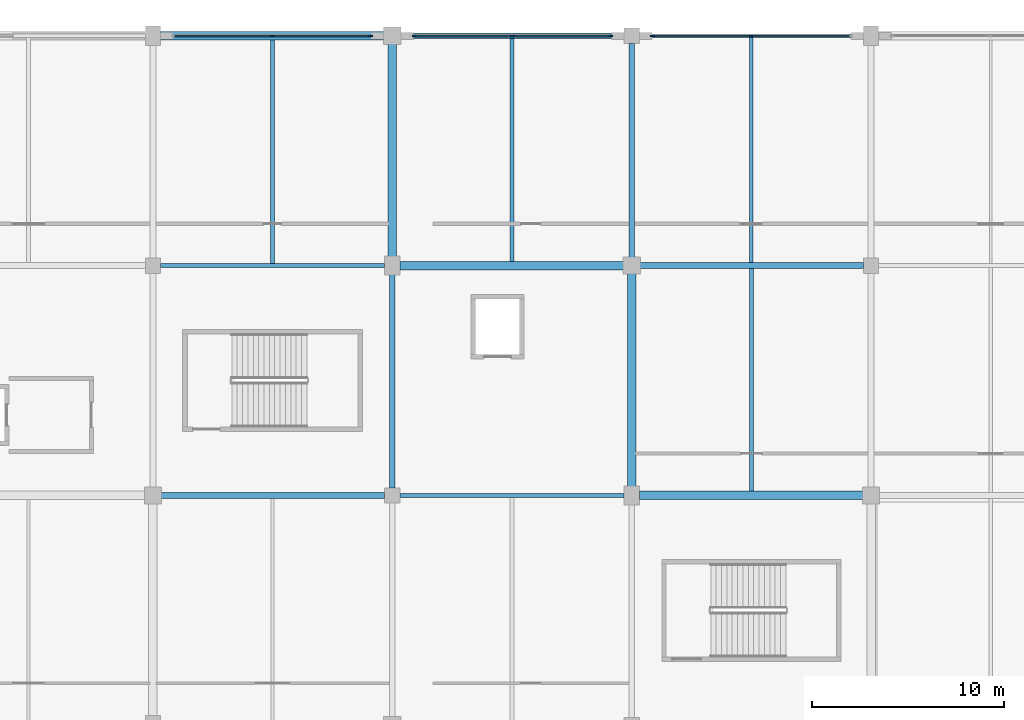
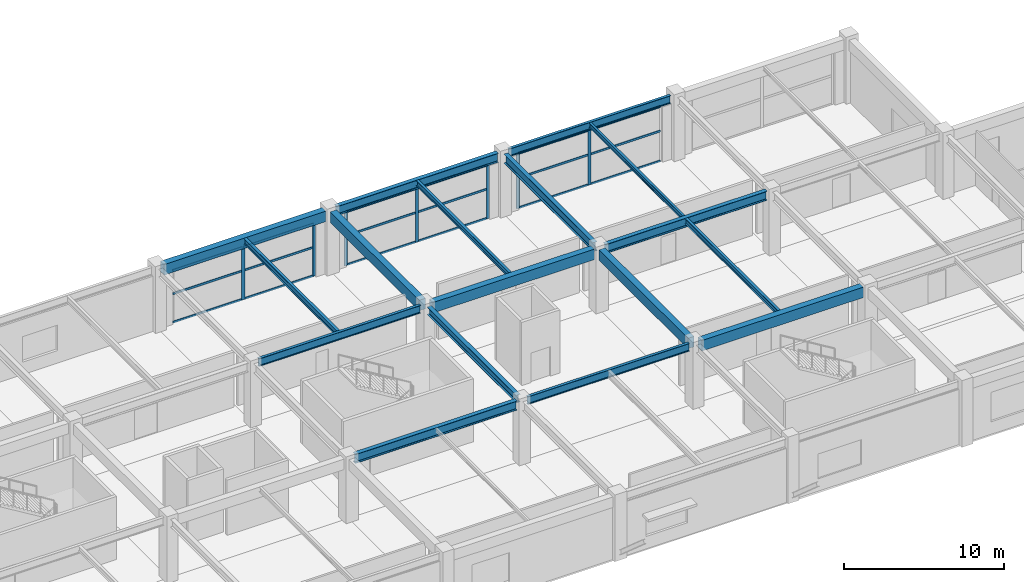
# One storey, part 52 of 116: 25 members, 17 beams, 3 elements without a shape of their own.
"""IFC4 building model written with IfcOpenShell, lengths in metres."""

from ifc_helpers import new_model, si_unit, direction, frame, origin, origin_2d, place, context, subcontext, project, spatial, rectangle, i_section, extrude, material, layer, layer_set, material_profile, profile_set, type_object, element, aggregate, save


model = new_model("IFC4")

# Units and contexts
model_context = context("Model", 3, precision=1e-05, world=origin(), true_north=direction((0.0, 1.0)))
body_context = subcontext(model_context, "Body", "Model", "MODEL_VIEW")
ifc_project = project(units=[si_unit("LENGTHUNIT", "METRE"), si_unit("AREAUNIT", "SQUARE_METRE"), si_unit("VOLUMEUNIT", "CUBIC_METRE"), si_unit("PLANEANGLEUNIT", "RADIAN"), si_unit("MASSUNIT", "GRAM", prefix="KILO")], contexts=[model_context])

# Site, building, storey
site_placement = place(None, origin())
site = spatial("IfcSite", under=ifc_project, at=site_placement, CompositionType="ELEMENT")
building_placement = place(site_placement, origin())
building = spatial("IfcBuilding", under=site, at=building_placement, Name="Kazenohara Klinker Stadium", CompositionType="ELEMENT")
storey_placement = place(building_placement, frame((0.0, 0.0, 10.199951171875)))
storey = spatial("IfcBuildingStorey", under=building, at=storey_placement, Name="L02", CompositionType="ELEMENT", Elevation=10.199951171875)

# Beams
ifc_material_1 = material(Name="Steel S355", Category="steel")
ifc_material_profile_1 = material_profile(ifc_material_1, i_section(OverallWidth=0.199951171875, OverallDepth=0.449951171875, WebThickness=0.009033203125, FlangeThickness=0.013916015625, FilletRadius=0.012939453125, at=origin_2d()), Name="H-450x200x9x14")
ifc_profile_set_1 = profile_set([ifc_material_profile_1], Name="Steel S355")
beam_type_1 = type_object("IfcBeamType", Name="BM-JST02", PredefinedType="JOIST", material=ifc_profile_set_1)
beam_1_placement = place(storey_placement, frame((131.25, 156.10009765625, 4.594970703125), z_axis=(0.0, 1.0, 0.0), x_axis=(-1.0, 0.0, 0.0)))
element("IfcBeam", 1, at=beam_1_placement, inside=storey, type_object=beam_type_1, Name="Secondary floor joist SJ02 L02 11/P", PredefinedType="JOIST", context=body_context, shape_type="SweptSolid", body=[
    extrude(i_section(OverallWidth=0.199951171875, OverallDepth=0.449951171875, WebThickness=0.009033203125, FlangeThickness=0.013916015625, FilletRadius=0.012939453125, at=origin_2d()), origin(), (0.0, 0.0, 1.0), 11.6748046875),
])
ifc_material_profile_2 = material_profile(ifc_material_1, i_section(OverallWidth=0.199951171875, OverallDepth=0.39990234375, WebThickness=0.008056640625, FlangeThickness=0.012939453125, FilletRadius=0.012939453125, at=origin_2d()), Name="H-400x200x8x13")
ifc_profile_set_2 = profile_set([ifc_material_profile_2], Name="Steel S355")
beam_type_2 = type_object("IfcBeamType", Name="BM-JST03", PredefinedType="JOIST", material=ifc_profile_set_2)
for number, where, z_axis, x_axis, name in (
    (2, (143.75, 156.22509765625, 4.6201171875), (0.0, 1.0, 0.0), (-1.0, 0.0, 0.0), "Secondary floor joist SJ03 L02 12/P"),
    (3, (156.25, 144.22509765625, 4.6201171875), (0.0, 1.0, 0.0), (-1.0, 0.0, 0.0), "Secondary floor joist SJ03 L02 13/N"),
):
    element("IfcBeam", number, at=place(storey_placement, frame(where, z_axis=z_axis, x_axis=x_axis)), inside=storey, type_object=beam_type_2, Name=name, PredefinedType="JOIST", context=body_context, shape_type="SweptSolid", body=[
        extrude(i_section(OverallWidth=0.199951171875, OverallDepth=0.39990234375, WebThickness=0.008056640625, FlangeThickness=0.012939453125, FilletRadius=0.012939453125, at=origin_2d()), origin(), (0.0, 0.0, 1.0), 11.625),
    ])
ifc_material_profile_3 = material_profile(ifc_material_1, i_section(OverallWidth=0.175048828125, OverallDepth=0.35009765625, WebThickness=0.007080078125, FlangeThickness=0.010986328125, FilletRadius=0.012939453125, at=origin_2d()), Name="H-350x175x7x11")
ifc_profile_set_3 = profile_set([ifc_material_profile_3], Name="Steel S355")
beam_type_3 = type_object("IfcBeamType", Name="BM-JST04", PredefinedType="JOIST", material=ifc_profile_set_3)
beam_2_placement = place(storey_placement, frame((156.25, 156.14990234375, 4.64501953125), z_axis=(0.0, 1.0, 0.0), x_axis=(-1.0, 0.0, 0.0)))
element("IfcBeam", 4, at=beam_2_placement, inside=storey, type_object=beam_type_3, Name="Secondary floor joist SJ04 L02 13/P", PredefinedType="JOIST", context=body_context, shape_type="SweptSolid", body=[
    extrude(i_section(OverallWidth=0.175048828125, OverallDepth=0.35009765625, WebThickness=0.007080078125, FlangeThickness=0.010986328125, FilletRadius=0.012939453125, at=origin_2d()), origin(), (0.0, 0.0, 1.0), 11.75),
])
ifc_material_2 = material(Name="Concrete C40/50", Category="concrete")
ifc_material_profile_4 = material_profile(ifc_material_2, rectangle(XDim=0.449951171875, YDim=0.800048828125, at=origin_2d()), Name="RC-BM-450x800")
ifc_profile_set_4 = profile_set([ifc_material_profile_4], Name="Concrete C40/50")
beam_type_4 = type_object("IfcBeamType", Name="BM-RC03", PredefinedType="BEAM", material=ifc_profile_set_4)
for number, where, z_axis, x_axis, name in (
    (5, (125.39990234375, 168.0, 4.420166015625), (1.0, 0.0, 0.0), (0.0, 1.0, 0.0), "Primary girder BG03 L02 11-12/Q"),
    (6, (137.89990234375, 156.0, 4.420166015625), (1.0, 0.0, 0.0), (0.0, 1.0, 0.0), "Primary girder BG03 L02 12-13/P"),
    (7, (150.39990234375, 144.0, 4.420166015625), (1.0, 0.0, 0.0), (0.0, 1.0, 0.0), "Primary girder BG03 L02 13-14/N"),
):
    element("IfcBeam", number, at=place(storey_placement, frame(where, z_axis=z_axis, x_axis=x_axis)), inside=storey, type_object=beam_type_4, Name=name, PredefinedType="BEAM", context=body_context, shape_type="SweptSolid", body=[
        extrude(rectangle(XDim=0.449951171875, YDim=0.800048828125, at=origin_2d()), origin(), (0.0, 0.0, 1.0), 11.68017578125),
    ])
for number, where, z_axis, x_axis, name in (
    (8, (137.5, 156.419921875, 4.420166015625), (0.0, 1.0, 0.0), (-1.0, 0.0, 0.0), "Primary girder BG03 L02 12/P-Q"),
    (9, (150.0, 144.419921875, 4.420166015625), (0.0, 1.0, 0.0), (-1.0, 0.0, 0.0), "Primary girder BG03 L02 13/N-P"),
):
    element("IfcBeam", number, at=place(storey_placement, frame(where, z_axis=z_axis, x_axis=x_axis)), inside=storey, type_object=beam_type_4, Name=name, PredefinedType="BEAM", context=body_context, shape_type="SweptSolid", body=[
        extrude(rectangle(XDim=0.449951171875, YDim=0.800048828125, at=origin_2d()), origin(), (0.0, 0.0, 1.0), 11.16015625),
    ])
ifc_material_profile_5 = material_profile(ifc_material_1, i_section(OverallWidth=0.300048828125, OverallDepth=0.699951171875, WebThickness=0.012939453125, FlangeThickness=0.02392578125, FilletRadius=0.02197265625, at=origin_2d()), Name="H-700x300x13x24")
ifc_profile_set_5 = profile_set([ifc_material_profile_5], Name="Steel S355")
beam_type_5 = type_object("IfcBeamType", Name="BM-ST03", PredefinedType="BEAM", material=ifc_profile_set_5)
for number, where, z_axis, x_axis, name in (
    (10, (125.419921875, 144.0, 4.469970703125), (1.0, 0.0, 0.0), (0.0, 1.0, 0.0), "Primary girder SB03 L02 11-12/N"),
    (11, (137.919921875, 168.0, 4.469970703125), (1.0, 0.0, 0.0), (0.0, 1.0, 0.0), "Primary girder SB03 L02 12-13/Q"),
    (12, (150.419921875, 156.0, 4.469970703125), (1.0, 0.0, 0.0), (0.0, 1.0, 0.0), "Primary girder SB03 L02 13-14/P"),
):
    element("IfcBeam", number, at=place(storey_placement, frame(where, z_axis=z_axis, x_axis=x_axis)), inside=storey, type_object=beam_type_5, Name=name, PredefinedType="BEAM", context=body_context, shape_type="SweptSolid", body=[
        extrude(i_section(OverallWidth=0.300048828125, OverallDepth=0.699951171875, WebThickness=0.012939453125, FlangeThickness=0.02392578125, FilletRadius=0.02197265625, at=origin_2d()), origin(), (0.0, 0.0, 1.0), 11.68017578125),
    ])
beam_3_placement = place(storey_placement, frame((150.0, 156.419921875, 4.469970703125), z_axis=(0.0, 1.0, 0.0), x_axis=(-1.0, 0.0, 0.0)))
element("IfcBeam", 13, at=beam_3_placement, inside=storey, type_object=beam_type_5, Name="Primary girder SB03 L02 13/P-Q", PredefinedType="BEAM", context=body_context, shape_type="SweptSolid", body=[
    extrude(i_section(OverallWidth=0.300048828125, OverallDepth=0.699951171875, WebThickness=0.012939453125, FlangeThickness=0.02392578125, FilletRadius=0.02197265625, at=origin_2d()), origin(), (0.0, 0.0, 1.0), 11.18017578125),
])
ifc_material_profile_6 = material_profile(ifc_material_1, i_section(OverallWidth=0.199951171875, OverallDepth=0.60009765625, WebThickness=0.010986328125, FlangeThickness=0.01708984375, FilletRadius=0.012939453125, at=origin_2d()), Name="H-600x200x11x17")
ifc_profile_set_6 = profile_set([ifc_material_profile_6], Name="Steel S355")
beam_type_6 = type_object("IfcBeamType", Name="BM-ST04", PredefinedType="BEAM", material=ifc_profile_set_6)
for number, where, z_axis, x_axis, name in (
    (14, (125.39990234375, 156.0, 4.52001953125), (1.0, 0.0, 0.0), (0.0, 1.0, 0.0), "Primary girder SB04 L02 11-12/P"),
    (15, (137.89990234375, 144.0, 4.52001953125), (1.0, 0.0, 0.0), (0.0, 1.0, 0.0), "Primary girder SB04 L02 12-13/N"),
    (16, (150.39990234375, 168.0, 4.52001953125), (1.0, 0.0, 0.0), (0.0, 1.0, 0.0), "Primary girder SB04 L02 13-14/Q"),
):
    element("IfcBeam", number, at=place(storey_placement, frame(where, z_axis=z_axis, x_axis=x_axis)), inside=storey, type_object=beam_type_6, Name=name, PredefinedType="BEAM", context=body_context, shape_type="SweptSolid", body=[
        extrude(i_section(OverallWidth=0.199951171875, OverallDepth=0.60009765625, WebThickness=0.010986328125, FlangeThickness=0.01708984375, FilletRadius=0.012939453125, at=origin_2d()), origin(), (0.0, 0.0, 1.0), 11.7001953125),
    ])
ifc_material_profile_7 = material_profile(ifc_material_1, i_section(OverallWidth=0.300048828125, OverallDepth=0.587890625, WebThickness=0.011962890625, FlangeThickness=0.02001953125, FilletRadius=0.02197265625, at=origin_2d()), Name="H-588x300x12x20")
ifc_profile_set_7 = profile_set([ifc_material_profile_7], Name="Steel S355")
beam_type_7 = type_object("IfcBeamType", Name="BM-ST05", PredefinedType="BEAM", material=ifc_profile_set_7)
beam_4_placement = place(storey_placement, frame((137.5, 144.39990234375, 4.526123046875), z_axis=(0.0, 1.0, 0.0), x_axis=(-1.0, 0.0, 0.0)))
element("IfcBeam", 17, at=beam_4_placement, inside=storey, type_object=beam_type_7, Name="Primary girder SB05 L02 12/N-P", PredefinedType="BEAM", context=body_context, shape_type="SweptSolid", body=[
    extrude(i_section(OverallWidth=0.300048828125, OverallDepth=0.587890625, WebThickness=0.011962890625, FlangeThickness=0.02001953125, FilletRadius=0.02197265625, at=origin_2d()), origin(), (0.0, 0.0, 1.0), 11.18017578125),
])

# Curtain wall, members
ifc_material_3 = material(Name="Anodised aluminium and triple glazing", Category="aluminium")
ifc_layer_1 = layer(ifc_material_3, 0.159912109375)
ifc_layer_set_1 = layer_set([ifc_layer_1], Name="Anodised aluminium and triple glazing")
curtain_wall_type_1 = type_object("IfcCurtainWallType", Name="CW-SYS-01", PredefinedType="USERDEFINED", material=ifc_layer_set_1)
curtain_wall_1_placement = place(storey_placement, origin())
curtain_wall_1 = element("IfcCurtainWall", 18, at=curtain_wall_1_placement, inside=storey, type_object=curtain_wall_type_1, Name="Unitised facade curtain wall CW01 L02 X10-14", ObjectType="UNITISED CURTAIN WALL", PredefinedType="USERDEFINED")
ifc_material_4 = material(Name="Anodised aluminium 6063-T6", Category="aluminium")
ifc_material_profile_8 = material_profile(ifc_material_4, rectangle(XDim=0.074951171875, YDim=0.219970703125, at=origin_2d()), Name="ALU-MUL-75x220")
ifc_profile_set_8 = profile_set([ifc_material_profile_8], Name="Anodised aluminium 6063-T6")
member_type_1 = type_object("IfcMemberType", Name="CW-MUL-220", PredefinedType="MULLION", material=ifc_profile_set_8)
member_1_placement = place(storey_placement, frame((131.22509765625, 168.0, 0.0), z_axis=(0.0, 0.0, 1.0), x_axis=(0.0, 1.0, 0.0)))
member_1 = element("IfcMember", 19, at=member_1_placement, type_object=member_type_1, Name="CW01 mullion 2", PredefinedType="MULLION", context=body_context, shape_type="SweptSolid", body=[
    extrude(rectangle(XDim=0.074951171875, YDim=0.219970703125, at=origin_2d()), origin(), (0.0, 0.0, 1.0), 4.02001953125),
])
member_2_placement = place(storey_placement, frame((136.3583984375, 168.0, 0.0), z_axis=(0.0, 0.0, 1.0), x_axis=(0.0, 1.0, 0.0)))
member_2 = element("IfcMember", 20, at=member_2_placement, type_object=member_type_1, Name="CW01 mullion 3", PredefinedType="MULLION", context=body_context, shape_type="SweptSolid", body=[
    extrude(rectangle(XDim=0.074951171875, YDim=0.219970703125, at=origin_2d()), origin(), (0.0, 0.0, 1.0), 4.02001953125),
])

ifc_layer_2 = layer(ifc_material_3, 0.199951171875)
ifc_layer_set_2 = layer_set([ifc_layer_2], Name="Anodised aluminium and triple glazing")
curtain_wall_type_2 = type_object("IfcCurtainWallType", Name="CW-SYS-03", PredefinedType="USERDEFINED", material=ifc_layer_set_2)
curtain_wall_2_placement = place(storey_placement, origin())
curtain_wall_2 = element("IfcCurtainWall", 21, at=curtain_wall_2_placement, inside=storey, type_object=curtain_wall_type_2, Name="Unitised facade curtain wall CW03 L02 X11-14", ObjectType="UNITISED CURTAIN WALL", PredefinedType="USERDEFINED")
member_3_placement = place(storey_placement, frame((138.6416015625, 168.0, 0.0), z_axis=(0.0, 0.0, 1.0), x_axis=(0.0, 1.0, 0.0)))
member_3 = element("IfcMember", 22, at=member_3_placement, type_object=member_type_1, Name="CW03 mullion 1", PredefinedType="MULLION", context=body_context, shape_type="SweptSolid", body=[
    extrude(rectangle(XDim=0.074951171875, YDim=0.219970703125, at=origin_2d()), origin(), (0.0, 0.0, 1.0), 4.1201171875),
])
member_4_placement = place(storey_placement, frame((143.77490234375, 168.0, 0.0), z_axis=(0.0, 0.0, 1.0), x_axis=(0.0, 1.0, 0.0)))
member_4 = element("IfcMember", 23, at=member_4_placement, type_object=member_type_1, Name="CW03 mullion 2", PredefinedType="MULLION", context=body_context, shape_type="SweptSolid", body=[
    extrude(rectangle(XDim=0.074951171875, YDim=0.219970703125, at=origin_2d()), origin(), (0.0, 0.0, 1.0), 4.1201171875),
])
member_5_placement = place(storey_placement, frame((148.908447265625, 168.0, 0.0), z_axis=(0.0, 0.0, 1.0), x_axis=(0.0, 1.0, 0.0)))
member_5 = element("IfcMember", 24, at=member_5_placement, type_object=member_type_1, Name="CW03 mullion 3", PredefinedType="MULLION", context=body_context, shape_type="SweptSolid", body=[
    extrude(rectangle(XDim=0.074951171875, YDim=0.219970703125, at=origin_2d()), origin(), (0.0, 0.0, 1.0), 4.1201171875),
])

ifc_layer_3 = layer(ifc_material_3, 0.18994140625)
ifc_layer_set_3 = layer_set([ifc_layer_3], Name="Anodised aluminium and triple glazing")
curtain_wall_type_3 = type_object("IfcCurtainWallType", Name="CW-SYS-05", PredefinedType="USERDEFINED", material=ifc_layer_set_3)
curtain_wall_3_placement = place(storey_placement, origin())
curtain_wall_3 = element("IfcCurtainWall", 25, at=curtain_wall_3_placement, inside=storey, type_object=curtain_wall_type_3, Name="Unitised facade curtain wall CW05 L02 X12-14", ObjectType="UNITISED CURTAIN WALL", PredefinedType="USERDEFINED")
member_6_placement = place(storey_placement, frame((151.091552734375, 168.0, 0.0), z_axis=(0.0, 0.0, 1.0), x_axis=(0.0, 1.0, 0.0)))
member_6 = element("IfcMember", 26, at=member_6_placement, type_object=member_type_1, Name="CW05 mullion 1", PredefinedType="MULLION", context=body_context, shape_type="SweptSolid", body=[
    extrude(rectangle(XDim=0.074951171875, YDim=0.219970703125, at=origin_2d()), origin(), (0.0, 0.0, 1.0), 4.219970703125),
])
member_7_placement = place(storey_placement, frame((156.25, 168.0, 0.0), z_axis=(0.0, 0.0, 1.0), x_axis=(0.0, 1.0, 0.0)))
member_7 = element("IfcMember", 27, at=member_7_placement, type_object=member_type_1, Name="CW05 mullion 2", PredefinedType="MULLION", context=body_context, shape_type="SweptSolid", body=[
    extrude(rectangle(XDim=0.074951171875, YDim=0.219970703125, at=origin_2d()), origin(), (0.0, 0.0, 1.0), 4.219970703125),
])

# Member
ifc_material_profile_9 = material_profile(ifc_material_4, rectangle(XDim=0.074951171875, YDim=0.159912109375, at=origin_2d()), Name="ALU-TRN-75x160")
ifc_profile_set_9 = profile_set([ifc_material_profile_9], Name="Anodised aluminium 6063-T6")
member_type_2 = type_object("IfcMemberType", Name="CW-TRN-160", PredefinedType="USERDEFINED", material=ifc_profile_set_9)
member_8_placement = place(storey_placement, frame((126.12890625, 168.0, 0.03759765625), z_axis=(1.0, 0.0, 0.0), x_axis=(0.0, 1.0, 0.0)))
member_8 = element("IfcMember", 28, at=member_8_placement, type_object=member_type_2, Name="CW01 transom 1.1", ObjectType="TRANSOM", PredefinedType="USERDEFINED", context=body_context, shape_type="SweptSolid", body=[
    extrude(rectangle(XDim=0.074951171875, YDim=0.159912109375, at=origin_2d()), origin(), (0.0, 0.0, 1.0), 5.05859375),
])

member_9_placement = place(storey_placement, frame((126.12890625, 168.0, 2.2109375), z_axis=(1.0, 0.0, 0.0), x_axis=(0.0, 1.0, 0.0)))
member_9 = element("IfcMember", 29, at=member_9_placement, type_object=member_type_2, Name="CW01 transom 1.2", ObjectType="TRANSOM", PredefinedType="USERDEFINED", context=body_context, shape_type="SweptSolid", body=[
    extrude(rectangle(XDim=0.074951171875, YDim=0.159912109375, at=origin_2d()), origin(), (0.0, 0.0, 1.0), 5.05859375),
])

member_10_placement = place(storey_placement, frame((126.12890625, 168.0, 3.982666015625), z_axis=(1.0, 0.0, 0.0), x_axis=(0.0, 1.0, 0.0)))
member_10 = element("IfcMember", 30, at=member_10_placement, type_object=member_type_2, Name="CW01 transom 1.3", ObjectType="TRANSOM", PredefinedType="USERDEFINED", context=body_context, shape_type="SweptSolid", body=[
    extrude(rectangle(XDim=0.074951171875, YDim=0.159912109375, at=origin_2d()), origin(), (0.0, 0.0, 1.0), 5.05859375),
])

member_11_placement = place(storey_placement, frame((131.262451171875, 168.0, 0.03759765625), z_axis=(1.0, 0.0, 0.0), x_axis=(0.0, 1.0, 0.0)))
member_11 = element("IfcMember", 31, at=member_11_placement, type_object=member_type_2, Name="CW01 transom 2.1", ObjectType="TRANSOM", PredefinedType="USERDEFINED", context=body_context, shape_type="SweptSolid", body=[
    extrude(rectangle(XDim=0.074951171875, YDim=0.159912109375, at=origin_2d()), origin(), (0.0, 0.0, 1.0), 5.05859375),
])

member_12_placement = place(storey_placement, frame((131.262451171875, 168.0, 2.2109375), z_axis=(1.0, 0.0, 0.0), x_axis=(0.0, 1.0, 0.0)))
member_12 = element("IfcMember", 32, at=member_12_placement, type_object=member_type_2, Name="CW01 transom 2.2", ObjectType="TRANSOM", PredefinedType="USERDEFINED", context=body_context, shape_type="SweptSolid", body=[
    extrude(rectangle(XDim=0.074951171875, YDim=0.159912109375, at=origin_2d()), origin(), (0.0, 0.0, 1.0), 5.05859375),
])

member_13_placement = place(storey_placement, frame((131.262451171875, 168.0, 3.982666015625), z_axis=(1.0, 0.0, 0.0), x_axis=(0.0, 1.0, 0.0)))
member_13 = element("IfcMember", 33, at=member_13_placement, type_object=member_type_2, Name="CW01 transom 2.3", ObjectType="TRANSOM", PredefinedType="USERDEFINED", context=body_context, shape_type="SweptSolid", body=[
    extrude(rectangle(XDim=0.074951171875, YDim=0.159912109375, at=origin_2d()), origin(), (0.0, 0.0, 1.0), 5.05859375),
])

aggregate(curtain_wall_1, [member_1, member_2, member_8, member_9, member_10, member_11, member_12, member_13])

member_14_placement = place(storey_placement, frame((138.678955078125, 168.0, 0.03759765625), z_axis=(1.0, 0.0, 0.0), x_axis=(0.0, 1.0, 0.0)))
member_14 = element("IfcMember", 34, at=member_14_placement, type_object=member_type_2, Name="CW03 transom 1.1", ObjectType="TRANSOM", PredefinedType="USERDEFINED", context=body_context, shape_type="SweptSolid", body=[
    extrude(rectangle(XDim=0.074951171875, YDim=0.159912109375, at=origin_2d()), origin(), (0.0, 0.0, 1.0), 5.05859375),
])

member_15_placement = place(storey_placement, frame((138.678955078125, 168.0, 2.26611328125), z_axis=(1.0, 0.0, 0.0), x_axis=(0.0, 1.0, 0.0)))
member_15 = element("IfcMember", 35, at=member_15_placement, type_object=member_type_2, Name="CW03 transom 1.2", ObjectType="TRANSOM", PredefinedType="USERDEFINED", context=body_context, shape_type="SweptSolid", body=[
    extrude(rectangle(XDim=0.074951171875, YDim=0.159912109375, at=origin_2d()), origin(), (0.0, 0.0, 1.0), 5.05859375),
])

member_16_placement = place(storey_placement, frame((138.678955078125, 168.0, 4.08251953125), z_axis=(1.0, 0.0, 0.0), x_axis=(0.0, 1.0, 0.0)))
member_16 = element("IfcMember", 36, at=member_16_placement, type_object=member_type_2, Name="CW03 transom 1.3", ObjectType="TRANSOM", PredefinedType="USERDEFINED", context=body_context, shape_type="SweptSolid", body=[
    extrude(rectangle(XDim=0.074951171875, YDim=0.159912109375, at=origin_2d()), origin(), (0.0, 0.0, 1.0), 5.05859375),
])

member_17_placement = place(storey_placement, frame((143.8125, 168.0, 0.03759765625), z_axis=(1.0, 0.0, 0.0), x_axis=(0.0, 1.0, 0.0)))
member_17 = element("IfcMember", 37, at=member_17_placement, type_object=member_type_2, Name="CW03 transom 2.1", ObjectType="TRANSOM", PredefinedType="USERDEFINED", context=body_context, shape_type="SweptSolid", body=[
    extrude(rectangle(XDim=0.074951171875, YDim=0.159912109375, at=origin_2d()), origin(), (0.0, 0.0, 1.0), 5.05859375),
])

member_18_placement = place(storey_placement, frame((143.8125, 168.0, 2.26611328125), z_axis=(1.0, 0.0, 0.0), x_axis=(0.0, 1.0, 0.0)))
member_18 = element("IfcMember", 38, at=member_18_placement, type_object=member_type_2, Name="CW03 transom 2.2", ObjectType="TRANSOM", PredefinedType="USERDEFINED", context=body_context, shape_type="SweptSolid", body=[
    extrude(rectangle(XDim=0.074951171875, YDim=0.159912109375, at=origin_2d()), origin(), (0.0, 0.0, 1.0), 5.05859375),
])

member_19_placement = place(storey_placement, frame((143.8125, 168.0, 4.08251953125), z_axis=(1.0, 0.0, 0.0), x_axis=(0.0, 1.0, 0.0)))
member_19 = element("IfcMember", 39, at=member_19_placement, type_object=member_type_2, Name="CW03 transom 2.3", ObjectType="TRANSOM", PredefinedType="USERDEFINED", context=body_context, shape_type="SweptSolid", body=[
    extrude(rectangle(XDim=0.074951171875, YDim=0.159912109375, at=origin_2d()), origin(), (0.0, 0.0, 1.0), 5.05859375),
])

aggregate(curtain_wall_2, [member_3, member_4, member_5, member_14, member_15, member_16, member_17, member_18, member_19])

member_20_placement = place(storey_placement, frame((151.12890625, 168.0, 0.03759765625), z_axis=(1.0, 0.0, 0.0), x_axis=(0.0, 1.0, 0.0)))
member_20 = element("IfcMember", 40, at=member_20_placement, type_object=member_type_2, Name="CW05 transom 1.1", ObjectType="TRANSOM", PredefinedType="USERDEFINED", context=body_context, shape_type="SweptSolid", body=[
    extrude(rectangle(XDim=0.074951171875, YDim=0.159912109375, at=origin_2d()), origin(), (0.0, 0.0, 1.0), 5.08349609375),
])

member_21_placement = place(storey_placement, frame((151.12890625, 168.0, 2.321044921875), z_axis=(1.0, 0.0, 0.0), x_axis=(0.0, 1.0, 0.0)))
member_21 = element("IfcMember", 41, at=member_21_placement, type_object=member_type_2, Name="CW05 transom 1.2", ObjectType="TRANSOM", PredefinedType="USERDEFINED", context=body_context, shape_type="SweptSolid", body=[
    extrude(rectangle(XDim=0.074951171875, YDim=0.159912109375, at=origin_2d()), origin(), (0.0, 0.0, 1.0), 5.08349609375),
])

member_22_placement = place(storey_placement, frame((151.12890625, 168.0, 4.1826171875), z_axis=(1.0, 0.0, 0.0), x_axis=(0.0, 1.0, 0.0)))
member_22 = element("IfcMember", 42, at=member_22_placement, type_object=member_type_2, Name="CW05 transom 1.3", ObjectType="TRANSOM", PredefinedType="USERDEFINED", context=body_context, shape_type="SweptSolid", body=[
    extrude(rectangle(XDim=0.074951171875, YDim=0.159912109375, at=origin_2d()), origin(), (0.0, 0.0, 1.0), 5.08349609375),
])

member_23_placement = place(storey_placement, frame((156.28759765625, 168.0, 0.03759765625), z_axis=(1.0, 0.0, 0.0), x_axis=(0.0, 1.0, 0.0)))
member_23 = element("IfcMember", 43, at=member_23_placement, type_object=member_type_2, Name="CW05 transom 2.1", ObjectType="TRANSOM", PredefinedType="USERDEFINED", context=body_context, shape_type="SweptSolid", body=[
    extrude(rectangle(XDim=0.074951171875, YDim=0.159912109375, at=origin_2d()), origin(), (0.0, 0.0, 1.0), 5.08349609375),
])

member_24_placement = place(storey_placement, frame((156.28759765625, 168.0, 2.321044921875), z_axis=(1.0, 0.0, 0.0), x_axis=(0.0, 1.0, 0.0)))
member_24 = element("IfcMember", 44, at=member_24_placement, type_object=member_type_2, Name="CW05 transom 2.2", ObjectType="TRANSOM", PredefinedType="USERDEFINED", context=body_context, shape_type="SweptSolid", body=[
    extrude(rectangle(XDim=0.074951171875, YDim=0.159912109375, at=origin_2d()), origin(), (0.0, 0.0, 1.0), 5.08349609375),
])

member_25_placement = place(storey_placement, frame((156.28759765625, 168.0, 4.1826171875), z_axis=(1.0, 0.0, 0.0), x_axis=(0.0, 1.0, 0.0)))
member_25 = element("IfcMember", 45, at=member_25_placement, type_object=member_type_2, Name="CW05 transom 2.3", ObjectType="TRANSOM", PredefinedType="USERDEFINED", context=body_context, shape_type="SweptSolid", body=[
    extrude(rectangle(XDim=0.074951171875, YDim=0.159912109375, at=origin_2d()), origin(), (0.0, 0.0, 1.0), 5.08349609375),
])

aggregate(curtain_wall_3, [member_6, member_7, member_20, member_21, member_22, member_23, member_24, member_25])

save(model, "model.ifc")
